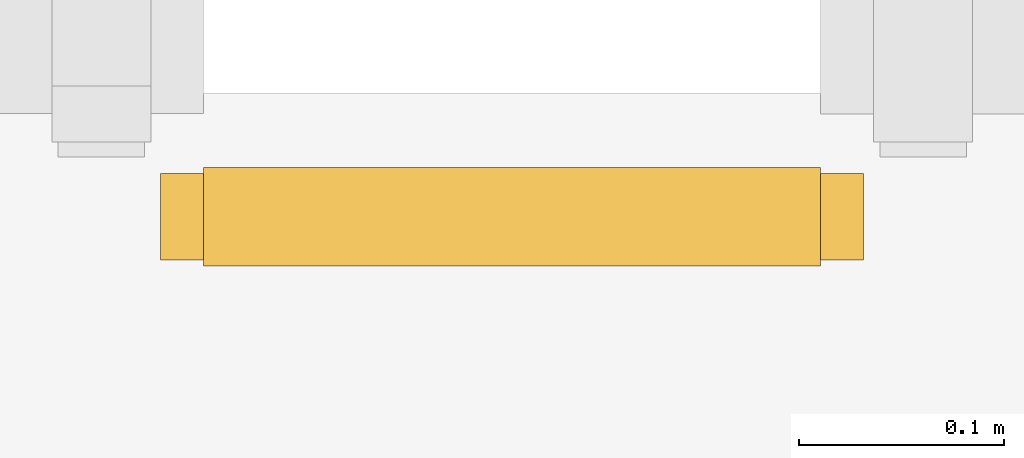
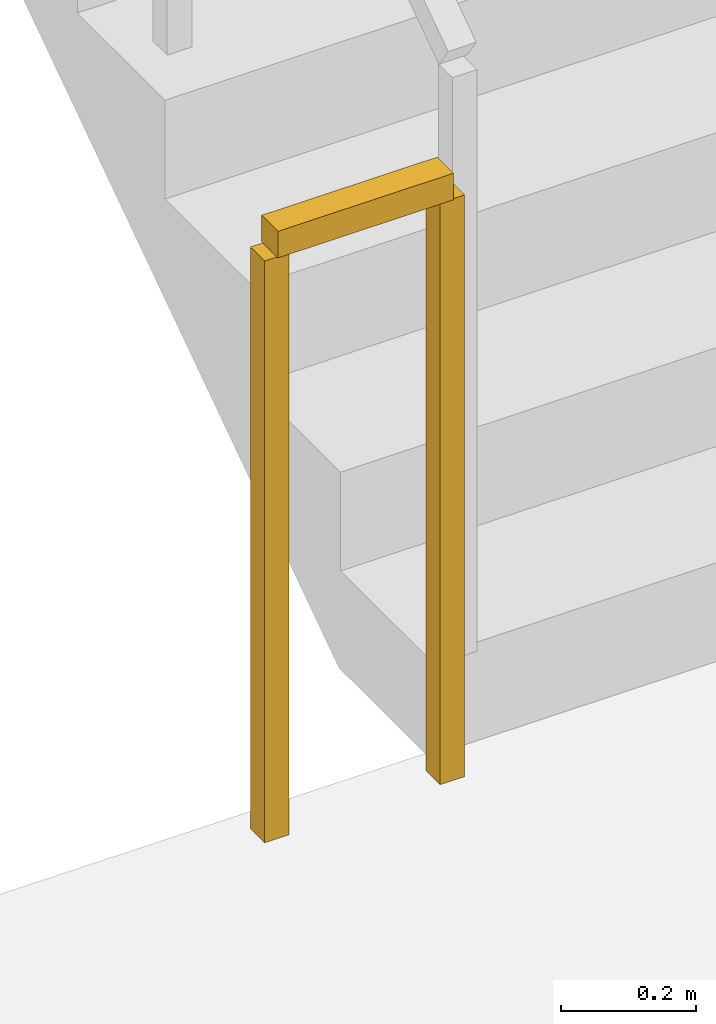
# One storey, part 6 of 10: 1 railing.
"""IFC4 building model written with IfcOpenShell, lengths in metres."""

from ifc_helpers import new_model, si_unit, direction, frame, origin, origin_2d, place, context, subcontext, project, spatial, rectangle, extrude, material, type_object, element, save


model = new_model("IFC4")

# Units and contexts
model_context = context("Model", 3, precision=1e-05, world=origin(), true_north=direction((0.0, 1.0)))
body_context = subcontext(model_context, "Body", "Model", "MODEL_VIEW")
ifc_project = project(units=[si_unit("LENGTHUNIT", "METRE"), si_unit("AREAUNIT", "SQUARE_METRE"), si_unit("VOLUMEUNIT", "CUBIC_METRE"), si_unit("PLANEANGLEUNIT", "RADIAN"), si_unit("MASSUNIT", "GRAM", prefix="KILO")], contexts=[model_context])

# Site, building, storey
site_placement = place(None, origin())
site = spatial("IfcSite", under=ifc_project, at=site_placement, CompositionType="ELEMENT")
building_placement = place(site_placement, origin())
building = spatial("IfcBuilding", under=site, at=building_placement, Name="Rattan Terrace Tower", CompositionType="ELEMENT")
storey_placement = place(building_placement, frame((0.0, 0.0, 244.699951171875)))
storey = spatial("IfcBuildingStorey", under=building, at=storey_placement, Name="L56", CompositionType="ELEMENT", Elevation=244.699951171875)

# Railing
ifc_material = material(Name="Powder-coated steel guard", Category="steel")
railing_type = type_object("IfcRailingType", Name="Core stair guard", PredefinedType="GUARDRAIL", material=ifc_material)
railing_placement = place(storey_placement, frame((-15.300048828125, 1.64990234375, 0.0)))
element("IfcRailing", 1, at=railing_placement, inside=storey, type_object=railing_type, Name="L56 S1 stair guard 4", PredefinedType="GUARDRAIL", context=body_context, shape_type="SweptSolid", body=[
    extrude(rectangle(XDim=0.048095703125, YDim=0.048095703125, at=origin_2d()), frame((0.0, 0.0, 1.076171875), z_axis=(-1.0, 0.0, 0.0), x_axis=(0.0, -1.0, 0.0)), (0.0, 0.0, 1.0), 0.300048828125),
    extrude(rectangle(XDim=0.0419921875, YDim=0.0419921875, at=origin_2d()), origin(), (0.0, 0.0, 1.0), 1.052001953125),
    extrude(rectangle(XDim=0.0419921875, YDim=0.0419921875, at=origin_2d()), frame((-0.300048828125, 0.0, 0.0)), (0.0, 0.0, 1.0), 1.052001953125),
])

save(model, "model.ifc")
